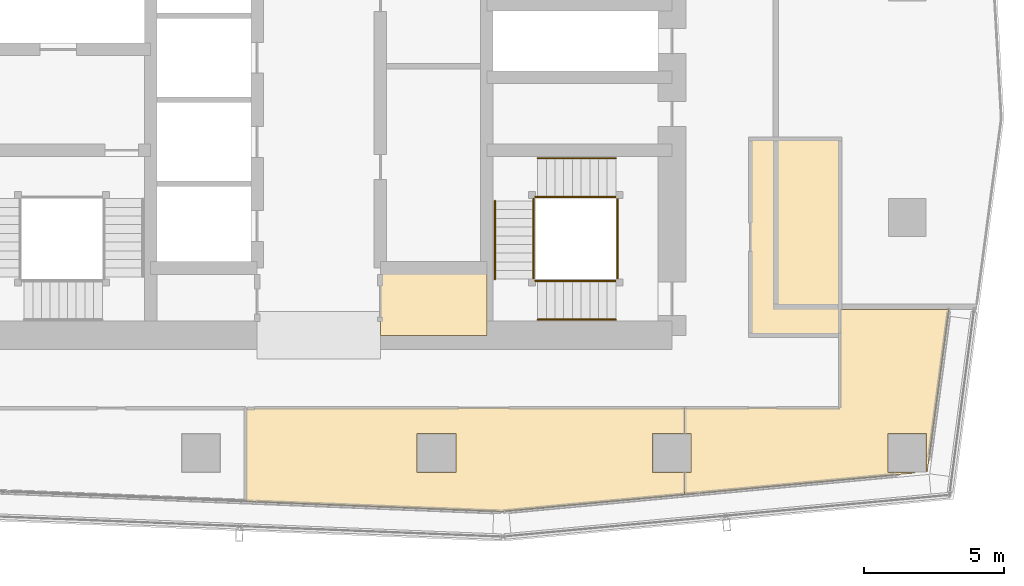
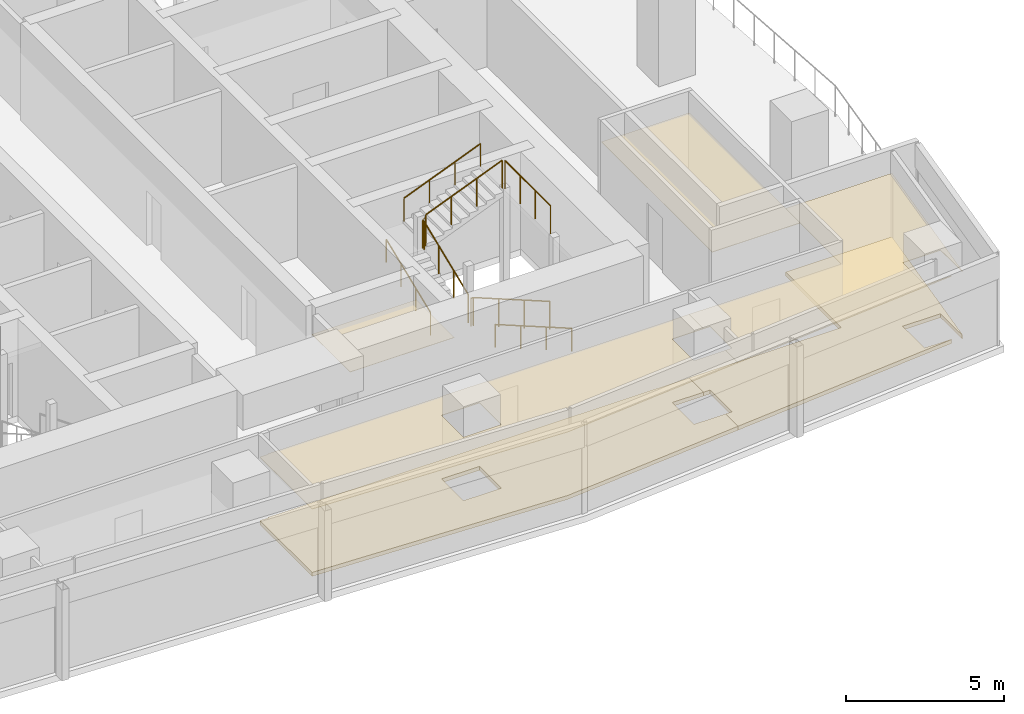
# One storey, part 31 of 33: 10 railings, 6 coverings.
"""IFC4 building model written with IfcOpenShell, lengths in metres."""

from ifc_helpers import new_model, si_unit, direction, frame, origin, origin_2d, place, context, subcontext, project, spatial, polyline, circle, outline, extrude, material, layer, layer_set, type_object, element, save


model = new_model("IFC4")

# Units and contexts
model_context = context("Model", 3, precision=1e-05, world=origin(), true_north=direction((0.0, 1.0)))
body_context = subcontext(model_context, "Body", "Model", "MODEL_VIEW")
ifc_project = project(units=[si_unit("LENGTHUNIT", "METRE"), si_unit("AREAUNIT", "SQUARE_METRE"), si_unit("VOLUMEUNIT", "CUBIC_METRE"), si_unit("PLANEANGLEUNIT", "RADIAN"), si_unit("MASSUNIT", "GRAM", prefix="KILO")], contexts=[model_context])

# Site, building, storey
site_placement = place(None, origin())
site = spatial("IfcSite", under=ifc_project, at=site_placement, CompositionType="ELEMENT")
building_placement = place(site_placement, origin())
building = spatial("IfcBuilding", under=site, at=building_placement, Name="Rekha Terrace Tower", CompositionType="ELEMENT")
storey_placement = place(building_placement, frame((0.0, 0.0, 206.449951171875)))
storey = spatial("IfcBuildingStorey", under=building, at=storey_placement, Name="L52", CompositionType="ELEMENT", Elevation=206.449951171875)

# Coverings
ifc_material_1 = material(Name="Mineral fibre tile in exposed grid", Category="finish")
ifc_layer_1 = layer(ifc_material_1, 0.02001953125)
ifc_layer_set_1 = layer_set([ifc_layer_1], Name="Mineral fibre tile in exposed grid")
covering_type_1 = type_object("IfcCoveringType", Name="CL1 600x1200 office grid ceiling", PredefinedType="CEILING", material=ifc_layer_set_1)
covering_1_placement = place(storey_placement, frame((0.0, 0.0, 2.580078125)))
element("IfcCovering", 1, at=covering_1_placement, inside=storey, type_object=covering_type_1, Name="Ceiling L52-02", PredefinedType="CEILING", context=body_context, shape_type="SweptSolid", body=[
    extrude(outline(polyline([(59.489990234375, 16.12890625), (59.510009765625, 16.1279296875), (60.277099609375, 21.9208984375), (56.39990234375, 21.9208984375), (56.39990234375, 18.39990234375), (50.85400390625, 18.39990234375), (50.85400390625, 17.489990234375), (51.090087890625, 17.489990234375), (51.090087890625, 16.110107421875), (50.85400390625, 16.110107421875), (50.85400390625, 15.321044921875), (59.080078125, 16.0869140625), (59.0791015625, 16.110107421875), (58.110107421875, 16.110107421875), (58.110107421875, 17.489990234375), (59.489990234375, 17.489990234375), (59.489990234375, 16.12890625)])), origin(), (0.0, 0.0, 1.0), 0.02001953125),
])
covering_2_placement = place(storey_placement, frame((0.0, 0.0, 2.580078125)))
element("IfcCovering", 2, at=covering_2_placement, inside=storey, type_object=covering_type_1, Name="Ceiling L52-13", PredefinedType="CEILING", context=body_context, shape_type="SweptSolid", body=[
    extrude(outline(polyline([(35.508056640625, 15.06298828125), (44.343994140625, 14.7109375), (44.343994140625, 14.715087890625), (50.85400390625, 15.321044921875), (50.85400390625, 16.110107421875), (49.7099609375, 16.110107421875), (49.7099609375, 17.489990234375), (50.85400390625, 17.489990234375), (50.85400390625, 18.39990234375), (35.508056640625, 18.39990234375), (35.508056640625, 18.375), (35.197998046875, 18.375), (35.197998046875, 15.075927734375), (35.508056640625, 15.06298828125)]), holes=[polyline([(42.68994140625, 17.489990234375), (42.68994140625, 16.110107421875), (41.31005859375, 16.110107421875), (41.31005859375, 17.489990234375), (42.68994140625, 17.489990234375)])]), origin(), (0.0, 0.0, 1.0), 0.02001953125),
])
ifc_material_2 = material(Name="Fibre cement board", Category="finish")
ifc_layer_2 = layer(ifc_material_2, 0.014892578125)
ifc_layer_set_2 = layer_set([ifc_layer_2], Name="Fibre cement board")
covering_type_2 = type_object("IfcCoveringType", Name="CL2 moisture-resistant board ceiling", PredefinedType="CEILING", material=ifc_layer_set_2)
covering_3_placement = place(storey_placement, frame((0.0, 0.0, 2.5849609375)))
element("IfcCovering", 3, at=covering_3_placement, inside=storey, type_object=covering_type_2, Name="Ceiling L52-WCA", PredefinedType="CEILING", context=body_context, shape_type="SweptSolid", body=[
    extrude(outline(polyline([(43.800048828125, 23.39990234375), (40.0, 23.39990234375), (40.0, 21.0), (43.800048828125, 21.0), (43.800048828125, 23.39990234375)])), origin(), (0.0, 0.0, 1.0), 0.01513671875),
])
covering_4_placement = place(storey_placement, frame((0.0, 0.0, 2.5849609375)))
element("IfcCovering", 4, at=covering_4_placement, inside=storey, type_object=covering_type_2, Name="Ceiling L52-WCM2", PredefinedType="CEILING", context=body_context, shape_type="SweptSolid", body=[
    extrude(outline(polyline([(56.39990234375, 28.0), (53.199951171875, 28.0), (53.199951171875, 21.0), (56.39990234375, 21.0), (56.39990234375, 28.0)])), origin(), (0.0, 0.0, 1.0), 0.01513671875),
])

# Railings
ifc_material_3 = material(Name="Stainless steel balustrade", Category="steel")
railing_type_1 = type_object("IfcRailingType", Name="GR1 1100 stair guard", PredefinedType="GUARDRAIL", material=ifc_material_3)
railing_1_placement = place(storey_placement, frame((48.39990234375, 22.93994140625, 0.125)))
element("IfcRailing", 5, at=railing_1_placement, inside=storey, type_object=railing_type_1, Name="Guard ST3 L52 flight 1", PredefinedType="GUARDRAIL", context=body_context, shape_type="SweptSolid", body=[
    extrude(circle(Radius=0.02392578125, at=origin_2d()), frame((0.0, 0.0, 1.076171875), z_axis=(-0.927431937212, 0.0, 0.373991980981), x_axis=(0.0, -1.0, 0.0)), (0.0, 0.0, 1.0), 3.008056640625),
    extrude(circle(Radius=0.02099609375, at=origin_2d()), origin(), (0.0, 0.0, 1.0), 1.052001953125),
    extrude(circle(Radius=0.02099609375, at=origin_2d()), frame((-0.929931640625, 0.0, 0.375)), (0.0, 0.0, 1.0), 1.052001953125),
    extrude(circle(Radius=0.02099609375, at=origin_2d()), frame((-1.85986328125, 0.0, 0.75)), (0.0, 0.0, 1.0), 1.052001953125),
    extrude(circle(Radius=0.02099609375, at=origin_2d()), frame((-2.789794921875, 0.0, 1.125)), (0.0, 0.0, 1.0), 1.052001953125),
])
railing_2_placement = place(storey_placement, frame((45.465087890625, 23.0, 1.375)))
element("IfcRailing", 6, at=railing_2_placement, inside=storey, type_object=railing_type_1, Name="Guard ST3 L52 flight 2", PredefinedType="GUARDRAIL", context=body_context, shape_type="SweptSolid", body=[
    extrude(circle(Radius=0.02392578125, at=origin_2d()), frame((0.0, 0.0, 1.076171875), z_axis=(0.0, 0.927443287984, 0.373963831907), x_axis=(-1.0, 0.0, 0.0)), (0.0, 0.0, 1.0), 3.00830078125),
    extrude(circle(Radius=0.02099609375, at=origin_2d()), origin(), (0.0, 0.0, 1.0), 1.052001953125),
    extrude(circle(Radius=0.02099609375, at=origin_2d()), frame((0.0, 0.929931640625, 0.375)), (0.0, 0.0, 1.0), 1.052001953125),
    extrude(circle(Radius=0.02099609375, at=origin_2d()), frame((0.0, 1.860107421875, 0.75)), (0.0, 0.0, 1.0), 1.052001953125),
    extrude(circle(Radius=0.02099609375, at=origin_2d()), frame((0.0, 2.7900390625, 1.125)), (0.0, 0.0, 1.0), 1.052001953125),
])
railing_3_placement = place(storey_placement, frame((45.610107421875, 25.93505859375, 2.625)))
element("IfcRailing", 7, at=railing_3_placement, inside=storey, type_object=railing_type_1, Name="Guard ST3 L52 flight 3", PredefinedType="GUARDRAIL", context=body_context, shape_type="SweptSolid", body=[
    extrude(circle(Radius=0.02392578125, at=origin_2d()), frame((0.0, 0.0, 1.076171875), z_axis=(0.927431937212, 0.0, 0.373991980981), x_axis=(0.0, 1.0, 0.0)), (0.0, 0.0, 1.0), 3.008056640625),
    extrude(circle(Radius=0.02099609375, at=origin_2d()), origin(), (0.0, 0.0, 1.0), 1.052001953125),
    extrude(circle(Radius=0.02099609375, at=origin_2d()), frame((0.929931640625, 0.0, 0.375)), (0.0, 0.0, 1.0), 1.052001953125),
    extrude(circle(Radius=0.02099609375, at=origin_2d()), frame((1.85986328125, 0.0, 0.75)), (0.0, 0.0, 1.0), 1.052001953125),
    extrude(circle(Radius=0.02099609375, at=origin_2d()), frame((2.789794921875, 0.0, 1.125)), (0.0, 0.0, 1.0), 1.052001953125),
])
railing_4_placement = place(storey_placement, frame((45.610107421875, 22.93994140625, 1.25)))
element("IfcRailing", 8, at=railing_4_placement, inside=storey, type_object=railing_type_1, Name="Guard ST3 L52 landing 1", PredefinedType="GUARDRAIL", context=body_context, shape_type="SweptSolid", body=[
    extrude(circle(Radius=0.02392578125, at=origin_2d()), frame((0.0, 0.0, 1.076171875), z_axis=(-1.0, 0.0, 0.0), x_axis=(0.0, -1.0, 0.0)), (0.0, 0.0, 1.0), 0.085205078125),
    extrude(circle(Radius=0.02099609375, at=origin_2d()), origin(), (0.0, 0.0, 1.0), 1.052001953125),
    extrude(circle(Radius=0.02099609375, at=origin_2d()), frame((-0.085205078125, 0.0, 0.0)), (0.0, 0.0, 1.0), 1.052001953125),
])
railing_5_placement = place(storey_placement, frame((45.465087890625, 25.7900390625, 2.5)))
element("IfcRailing", 9, at=railing_5_placement, inside=storey, type_object=railing_type_1, Name="Guard ST3 L52 landing 2", PredefinedType="GUARDRAIL", context=body_context, shape_type="SweptSolid", body=[
    extrude(circle(Radius=0.02392578125, at=origin_2d()), frame((0.0, 0.0, 1.076171875), z_axis=(0.0, 1.0, 0.0), x_axis=(-1.0, 0.0, 0.0)), (0.0, 0.0, 1.0), 0.0849609375),
    extrude(circle(Radius=0.02099609375, at=origin_2d()), origin(), (0.0, 0.0, 1.0), 1.052001953125),
    extrude(circle(Radius=0.02099609375, at=origin_2d()), frame((0.0, 0.0849609375, 0.0)), (0.0, 0.0, 1.0), 1.052001953125),
])
railing_6_placement = place(storey_placement, frame((45.610107421875, 25.93505859375, 2.5)))
element("IfcRailing", 10, at=railing_6_placement, inside=storey, type_object=railing_type_1, Name="Guard ST3 L52 landing 3", PredefinedType="GUARDRAIL", context=body_context, shape_type="SweptSolid", body=[
    extrude(circle(Radius=0.02392578125, at=origin_2d()), frame((0.0, 0.0, 1.076171875), z_axis=(-1.0, 0.0, 0.0), x_axis=(0.0, -1.0, 0.0)), (0.0, 0.0, 1.0), 0.085205078125),
    extrude(circle(Radius=0.02099609375, at=origin_2d()), origin(), (0.0, 0.0, 1.0), 1.052001953125),
    extrude(circle(Radius=0.02099609375, at=origin_2d()), frame((-0.085205078125, 0.0, 0.0)), (0.0, 0.0, 1.0), 1.052001953125),
])
railing_7_placement = place(storey_placement, frame((48.4599609375, 23.0, 3.75)))
element("IfcRailing", 11, at=railing_7_placement, inside=storey, type_object=railing_type_1, Name="Guard ST3 L52 landing 4", PredefinedType="GUARDRAIL", context=body_context, shape_type="SweptSolid", body=[
    extrude(circle(Radius=0.02392578125, at=origin_2d()), frame((0.0, 0.0, 1.076171875), z_axis=(0.0, 1.0, 0.0), x_axis=(-1.0, 0.0, 0.0)), (0.0, 0.0, 1.0), 2.875),
    extrude(circle(Radius=0.02099609375, at=origin_2d()), origin(), (0.0, 0.0, 1.0), 1.052001953125),
    extrude(circle(Radius=0.02099609375, at=origin_2d()), frame((0.0, 0.958251953125, 0.0)), (0.0, 0.0, 1.0), 1.052001953125),
    extrude(circle(Radius=0.02099609375, at=origin_2d()), frame((0.0, 1.916748046875, 0.0)), (0.0, 0.0, 1.0), 1.052001953125),
    extrude(circle(Radius=0.02099609375, at=origin_2d()), frame((0.0, 2.875, 0.0)), (0.0, 0.0, 1.0), 1.052001953125),
])
ifc_material_4 = material(Name="Stainless steel tube", Category="steel")
railing_type_2 = type_object("IfcRailingType", Name="HR1 900 stair handrail", PredefinedType="HANDRAIL", material=ifc_material_4)
railing_8_placement = place(storey_placement, frame((48.39990234375, 21.56005859375, 0.125)))
element("IfcRailing", 12, at=railing_8_placement, inside=storey, type_object=railing_type_2, Name="Handrail ST3 L52 flight 1", PredefinedType="HANDRAIL", context=body_context, shape_type="SweptSolid", body=[
    extrude(circle(Radius=0.02392578125, at=origin_2d()), frame((0.0, 0.0, 0.8759765625), z_axis=(-0.927431937212, 0.0, 0.373991980981), x_axis=(0.0, -1.0, 0.0)), (0.0, 0.0, 1.0), 3.008056640625),
    extrude(circle(Radius=0.02099609375, at=origin_2d()), origin(), (0.0, 0.0, 1.0), 0.851806640625),
    extrude(circle(Radius=0.02099609375, at=origin_2d()), frame((-0.929931640625, 0.0, 0.375)), (0.0, 0.0, 1.0), 0.851806640625),
    extrude(circle(Radius=0.02099609375, at=origin_2d()), frame((-1.85986328125, 0.0, 0.75)), (0.0, 0.0, 1.0), 0.851806640625),
    extrude(circle(Radius=0.02099609375, at=origin_2d()), frame((-2.789794921875, 0.0, 1.125)), (0.0, 0.0, 1.0), 0.851806640625),
])
railing_9_placement = place(storey_placement, frame((44.0849609375, 23.0, 1.375)))
element("IfcRailing", 13, at=railing_9_placement, inside=storey, type_object=railing_type_2, Name="Handrail ST3 L52 flight 2", PredefinedType="HANDRAIL", context=body_context, shape_type="SweptSolid", body=[
    extrude(circle(Radius=0.02392578125, at=origin_2d()), frame((0.0, 0.0, 0.8759765625), z_axis=(0.0, 0.927443287984, 0.373963831907), x_axis=(-1.0, 0.0, 0.0)), (0.0, 0.0, 1.0), 3.00830078125),
    extrude(circle(Radius=0.02099609375, at=origin_2d()), origin(), (0.0, 0.0, 1.0), 0.851806640625),
    extrude(circle(Radius=0.02099609375, at=origin_2d()), frame((0.0, 0.929931640625, 0.375)), (0.0, 0.0, 1.0), 0.851806640625),
    extrude(circle(Radius=0.02099609375, at=origin_2d()), frame((0.0, 1.860107421875, 0.75)), (0.0, 0.0, 1.0), 0.851806640625),
    extrude(circle(Radius=0.02099609375, at=origin_2d()), frame((0.0, 2.7900390625, 1.125)), (0.0, 0.0, 1.0), 0.851806640625),
])
railing_10_placement = place(storey_placement, frame((45.610107421875, 27.31494140625, 2.625)))
element("IfcRailing", 14, at=railing_10_placement, inside=storey, type_object=railing_type_2, Name="Handrail ST3 L52 flight 3", PredefinedType="HANDRAIL", context=body_context, shape_type="SweptSolid", body=[
    extrude(circle(Radius=0.02392578125, at=origin_2d()), frame((0.0, 0.0, 0.8759765625), z_axis=(0.927431937212, 0.0, 0.373991980981), x_axis=(0.0, 1.0, 0.0)), (0.0, 0.0, 1.0), 3.008056640625),
    extrude(circle(Radius=0.02099609375, at=origin_2d()), origin(), (0.0, 0.0, 1.0), 0.851806640625),
    extrude(circle(Radius=0.02099609375, at=origin_2d()), frame((0.929931640625, 0.0, 0.375)), (0.0, 0.0, 1.0), 0.851806640625),
    extrude(circle(Radius=0.02099609375, at=origin_2d()), frame((1.85986328125, 0.0, 0.75)), (0.0, 0.0, 1.0), 0.851806640625),
    extrude(circle(Radius=0.02099609375, at=origin_2d()), frame((2.789794921875, 0.0, 1.125)), (0.0, 0.0, 1.0), 0.851806640625),
])

# Coverings
ifc_material_5 = material(Name="Calcium sulphate panels on steel pedestals", Category="steel")
ifc_layer_3 = layer(ifc_material_5, 0.14990234375)
ifc_layer_set_3 = layer_set([ifc_layer_3], Name="Calcium sulphate panels on steel pedestals")
covering_type_3 = type_object("IfcCoveringType", Name="RF1 150 raised access floor", PredefinedType="FLOORING", material=ifc_layer_set_3)
covering_5_placement = place(storey_placement, origin())
element("IfcCovering", 15, at=covering_5_placement, inside=storey, type_object=covering_type_3, Name="Raised floor L52-02", PredefinedType="FLOORING", context=body_context, shape_type="SweptSolid", body=[
    extrude(outline(polyline([(59.489990234375, 16.12890625), (59.510009765625, 16.1279296875), (60.277099609375, 21.9208984375), (56.39990234375, 21.9208984375), (56.39990234375, 18.39990234375), (50.85400390625, 18.39990234375), (50.85400390625, 17.489990234375), (51.090087890625, 17.489990234375), (51.090087890625, 16.110107421875), (50.85400390625, 16.110107421875), (50.85400390625, 15.321044921875), (59.080078125, 16.0869140625), (59.0791015625, 16.110107421875), (58.110107421875, 16.110107421875), (58.110107421875, 17.489990234375), (59.489990234375, 17.489990234375), (59.489990234375, 16.12890625)])), origin(), (0.0, 0.0, 1.0), 0.150146484375),
])
covering_6_placement = place(storey_placement, origin())
element("IfcCovering", 16, at=covering_6_placement, inside=storey, type_object=covering_type_3, Name="Raised floor L52-13", PredefinedType="FLOORING", context=body_context, shape_type="SweptSolid", body=[
    extrude(outline(polyline([(35.508056640625, 15.06298828125), (44.343994140625, 14.7109375), (44.343994140625, 14.715087890625), (50.85400390625, 15.321044921875), (50.85400390625, 16.110107421875), (49.7099609375, 16.110107421875), (49.7099609375, 17.489990234375), (50.85400390625, 17.489990234375), (50.85400390625, 18.39990234375), (35.508056640625, 18.39990234375), (35.508056640625, 18.375), (35.197998046875, 18.375), (35.197998046875, 15.075927734375), (35.508056640625, 15.06298828125)]), holes=[polyline([(42.68994140625, 17.489990234375), (42.68994140625, 16.110107421875), (41.31005859375, 16.110107421875), (41.31005859375, 17.489990234375), (42.68994140625, 17.489990234375)])]), origin(), (0.0, 0.0, 1.0), 0.150146484375),
])

save(model, "model.ifc")
